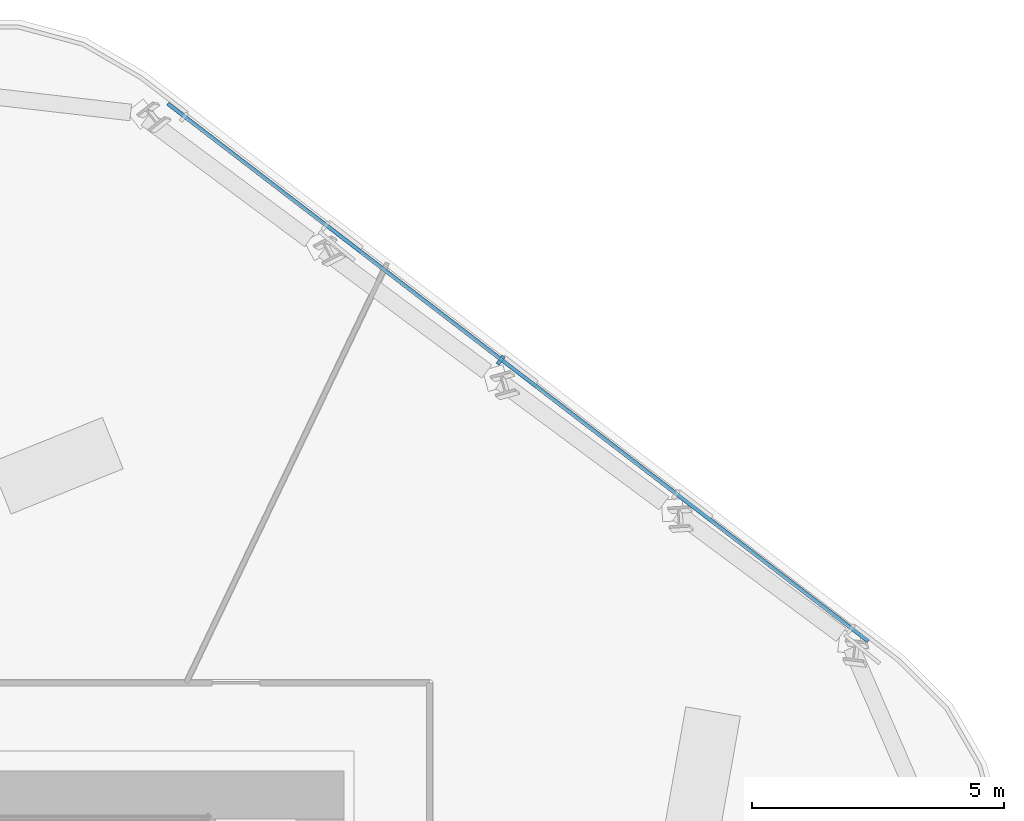
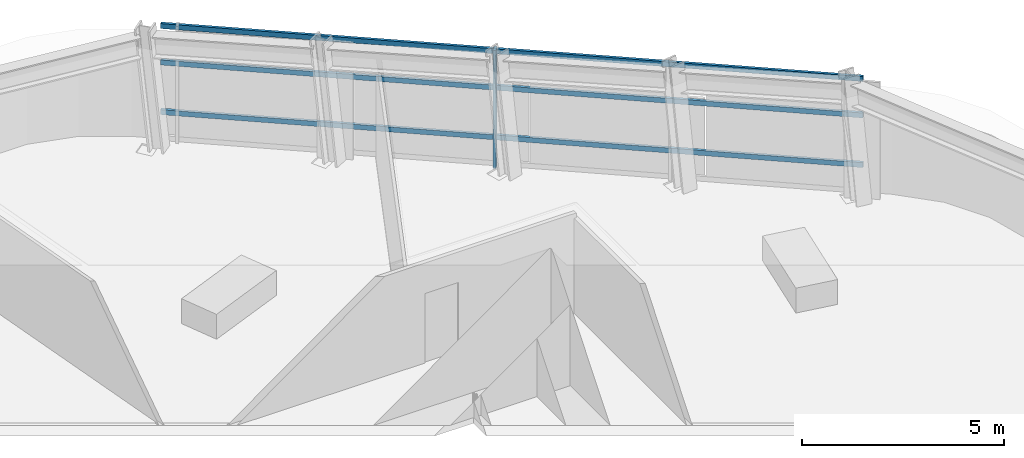
# One storey, part 7 of 18: 4 members, 1 element without a shape of its own.
"""IFC4 building model written with IfcOpenShell, lengths in metres."""

from ifc_helpers import new_model, si_unit, direction, frame, origin, origin_2d, place, context, subcontext, project, spatial, rectangle, extrude, material, layer, layer_set, material_profile, profile_set, type_object, element, aggregate, save


model = new_model("IFC4")

# Units and contexts
model_context = context("Model", 3, precision=1e-05, world=origin(), true_north=direction((0.0, 1.0)))
body_context = subcontext(model_context, "Body", "Model", "MODEL_VIEW")
ifc_project = project(units=[si_unit("LENGTHUNIT", "METRE"), si_unit("AREAUNIT", "SQUARE_METRE"), si_unit("VOLUMEUNIT", "CUBIC_METRE"), si_unit("PLANEANGLEUNIT", "RADIAN"), si_unit("MASSUNIT", "GRAM", prefix="KILO")], contexts=[model_context])

# Site, building, storey
site_placement = place(None, origin())
site = spatial("IfcSite", under=ifc_project, at=site_placement, CompositionType="ELEMENT")
building_placement = place(site_placement, origin())
building = spatial("IfcBuilding", under=site, at=building_placement, Name="Valkerne Bourse Tower", CompositionType="ELEMENT")
storey_placement = place(building_placement, frame((0.0, 0.0, 120.0)))
storey = spatial("IfcBuildingStorey", under=building, at=storey_placement, Name="L30", CompositionType="ELEMENT", Elevation=120.0)

# Curtain wall, members
ifc_material = material(Name="Aluminium AA 6063-T6", Category="aluminium")
ifc_layer = layer(ifc_material, 0.22998046875)
ifc_layer_set = layer_set([ifc_layer], Name="Aluminium AA 6063-T6")
curtain_wall_type = type_object("IfcCurtainWallType", Name="CW-02", PredefinedType="NOTDEFINED", material=ifc_layer_set)
curtain_wall_placement = place(storey_placement, origin())
curtain_wall = element("IfcCurtainWall", 1, at=curtain_wall_placement, inside=storey, type_object=curtain_wall_type, Name="L30 Hexagonal Stick Curtain Wall Face 1", PredefinedType="NOTDEFINED")
ifc_material_profile_1 = material_profile(ifc_material, rectangle(XDim=0.074951171875, YDim=0.199951171875, at=origin_2d()), Name="CWM-75X200")
ifc_profile_set_1 = profile_set([ifc_material_profile_1], Name="Aluminium AA 6063-T6")
member_type_1 = type_object("IfcMemberType", Name="CW-MUL-220X75", PredefinedType="MULLION", material=ifc_profile_set_1)
member_1_placement = place(storey_placement, frame((59.51123046875, 44.25537109375, 0.0), z_axis=(0.0, 0.0, 1.0), x_axis=(-0.793356220117, 0.608757675929, 0.0)))
member_1 = element("IfcMember", 2, at=member_1_placement, type_object=member_type_1, Name="CW-L30-F1 Jamb Mullion 02A", PredefinedType="MULLION", context=body_context, shape_type="SweptSolid", body=[
    extrude(rectangle(XDim=0.074951171875, YDim=0.199951171875, at=origin_2d()), origin(), (0.0, 0.0, 1.0), 3.580078125),
])
ifc_material_profile_2 = material_profile(ifc_material, rectangle(XDim=0.074951171875, YDim=0.14990234375, at=origin_2d()), Name="CWT-75X150")
ifc_profile_set_2 = profile_set([ifc_material_profile_2], Name="Aluminium AA 6063-T6")
member_type_2 = type_object("IfcMemberType", Name="CW-TRN-180X65", PredefinedType="USERDEFINED", material=ifc_profile_set_2)
member_2_placement = place(storey_placement, frame((66.81103515625, 38.67919921875, 0.89990234375), z_axis=(-0.793349209689, 0.608766812076, 0.0), x_axis=(-0.608766812076, -0.793349209689, 0.0)))
member_2 = element("IfcMember", 3, at=member_2_placement, type_object=member_type_2, Name="CW-L30-F1 Continuous Face Transom 2", ObjectType="TRANSOM", PredefinedType="USERDEFINED", context=body_context, shape_type="SweptSolid", body=[
    extrude(rectangle(XDim=0.074951171875, YDim=0.14990234375, at=origin_2d()), origin(), (0.0, 0.0, 1.0), 17.531982421875),
])
member_3_placement = place(storey_placement, frame((66.81103515625, 38.67919921875, 2.39990234375), z_axis=(-0.793349209689, 0.608766812076, 0.0), x_axis=(-0.608766812076, -0.793349209689, 0.0)))
member_3 = element("IfcMember", 4, at=member_3_placement, type_object=member_type_2, Name="CW-L30-F1 Continuous Face Transom 3", ObjectType="TRANSOM", PredefinedType="USERDEFINED", context=body_context, shape_type="SweptSolid", body=[
    extrude(rectangle(XDim=0.074951171875, YDim=0.14990234375, at=origin_2d()), origin(), (0.0, 0.0, 1.0), 17.531982421875),
])
member_4_placement = place(storey_placement, frame((66.81103515625, 38.67919921875, 3.5), z_axis=(-0.793349209689, 0.608766812076, 0.0), x_axis=(-0.608766812076, -0.793349209689, 0.0)))
member_4 = element("IfcMember", 5, at=member_4_placement, type_object=member_type_2, Name="CW-L30-F1 Continuous Face Transom 4", ObjectType="TRANSOM", PredefinedType="USERDEFINED", context=body_context, shape_type="SweptSolid", body=[
    extrude(rectangle(XDim=0.074951171875, YDim=0.14990234375, at=origin_2d()), origin(), (0.0, 0.0, 1.0), 17.531982421875),
])
aggregate(curtain_wall, [member_2, member_3, member_4, member_1])

save(model, "model.ifc")
